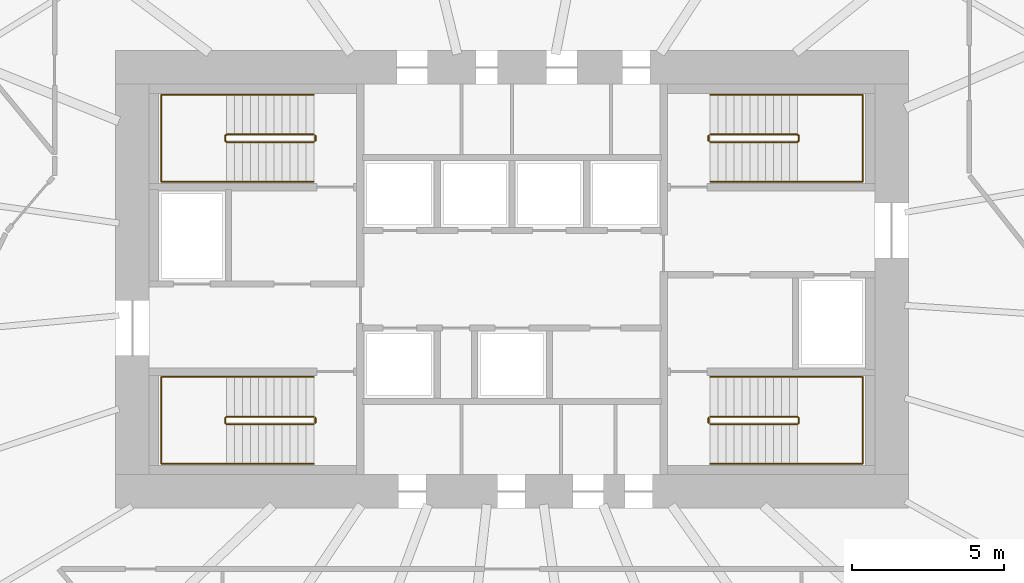
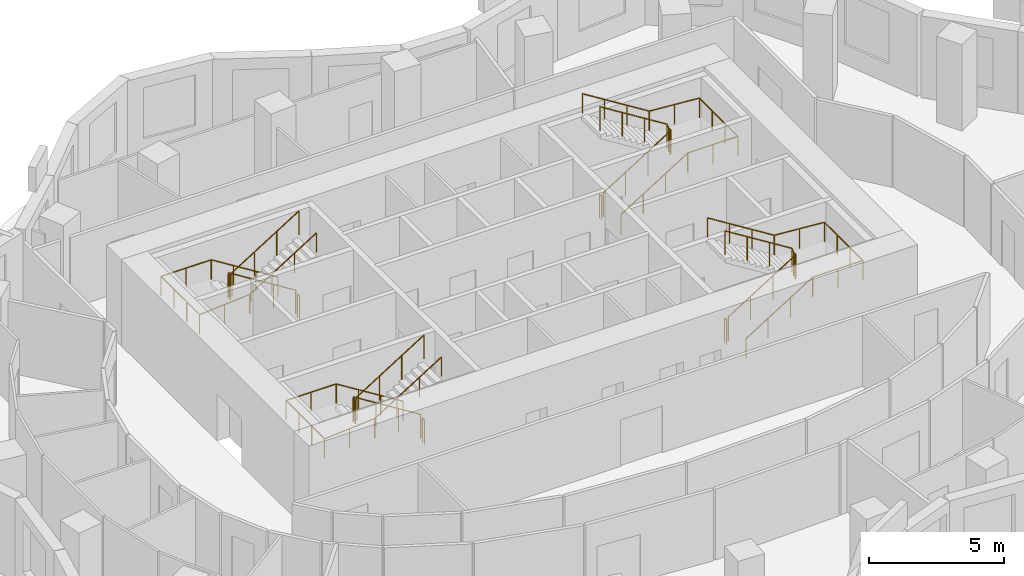
# One storey, part 10 of 10: 12 railings.
"""IFC4 building model written with IfcOpenShell, lengths in metres."""

from ifc_helpers import new_model, si_unit, direction, frame, origin, origin_2d, place, context, subcontext, project, spatial, circle, extrude, material, type_object, element, save


model = new_model("IFC4")

# Units and contexts
model_context = context("Model", 3, precision=1e-05, world=origin(), true_north=direction((0.0, 1.0)))
body_context = subcontext(model_context, "Body", "Model", "MODEL_VIEW")
ifc_project = project(units=[si_unit("LENGTHUNIT", "METRE"), si_unit("AREAUNIT", "SQUARE_METRE"), si_unit("VOLUMEUNIT", "CUBIC_METRE"), si_unit("PLANEANGLEUNIT", "RADIAN"), si_unit("MASSUNIT", "GRAM", prefix="KILO")], contexts=[model_context])

# Site, building, storey
site_placement = place(None, origin())
site = spatial("IfcSite", under=ifc_project, at=site_placement, CompositionType="ELEMENT")
building_placement = place(site_placement, origin())
building = spatial("IfcBuilding", under=site, at=building_placement, Name="Rubra Terraces Tower", CompositionType="ELEMENT")
storey_placement = place(building_placement, frame((0.0, 0.0, 161.699951171875)))
storey = spatial("IfcBuildingStorey", under=building, at=storey_placement, Name="L39", CompositionType="ELEMENT", Elevation=161.699951171875)

# Railings
ifc_material = material(Name="Stainless steel", Category="steel")
railing_type_1 = type_object("IfcRailingType", Name="Core stair guard 1100", PredefinedType="GUARDRAIL", material=ifc_material)
railing_1_placement = place(storey_placement, frame((-6.5, 0.0, 0.16259765625)))
element("IfcRailing", 1, at=railing_1_placement, inside=storey, type_object=railing_type_1, Name="L39 stair S1 guard 1", PredefinedType="GUARDRAIL", context=body_context, shape_type="SweptSolid", body=[
    extrude(circle(Radius=0.02392578125, at=origin_2d()), frame((0.0, 0.0, 1.076171875), z_axis=(-0.848026770018, 0.0, 0.529953391661), x_axis=(0.0, -1.0, 0.0)), (0.0, 0.0, 1.0), 3.37255859375),
    extrude(circle(Radius=0.02392578125, at=origin_2d()), frame((-2.860107421875, 0.0, 2.86328125), z_axis=(-0.705375805398, -0.708833529934, 0.0), x_axis=(0.708833529934, -0.705375805398, 0.0)), (0.0, 0.0, 1.0), 0.070556640625),
    extrude(circle(Radius=0.02392578125, at=origin_2d()), frame((-2.909912109375, -0.050048828125, 2.86328125), z_axis=(0.0, -1.0, 0.0), x_axis=(1.0, 0.0, 0.0)), (0.0, 0.0, 1.0), 0.14990234375),
    extrude(circle(Radius=0.02392578125, at=origin_2d()), frame((-2.909912109375, -0.199951171875, 2.86328125), z_axis=(0.280959487676, -0.282336740067, 0.917250092119), x_axis=(0.708833529934, 0.705375805398, 0.0)), (0.0, 0.0, 1.0), 0.17724609375),
    extrude(circle(Radius=0.02392578125, at=origin_2d()), frame((-2.860107421875, -0.25, 3.02587890625), z_axis=(0.847994237388, 0.0, 0.530005446535), x_axis=(0.0, 1.0, 0.0)), (0.0, 0.0, 1.0), 3.372802734375),
    extrude(circle(Radius=0.02099609375, at=origin_2d()), origin(), (0.0, 0.0, 1.0), 1.052001953125),
    extrude(circle(Radius=0.02099609375, at=origin_2d()), frame((-0.953369140625, 0.0, 0.595703125)), (0.0, 0.0, 1.0), 1.052001953125),
    extrude(circle(Radius=0.02099609375, at=origin_2d()), frame((-1.90673828125, 0.0, 1.191650390625)), (0.0, 0.0, 1.0), 1.052001953125),
    extrude(circle(Radius=0.02099609375, at=origin_2d()), frame((-2.860107421875, 0.0, 1.787353515625)), (0.0, 0.0, 1.0), 1.052001953125),
    extrude(circle(Radius=0.02099609375, at=origin_2d()), frame((-2.909912109375, -0.050048828125, 1.787353515625)), (0.0, 0.0, 1.0), 1.052001953125),
    extrude(circle(Radius=0.02099609375, at=origin_2d()), frame((-2.909912109375, -0.199951171875, 1.787353515625)), (0.0, 0.0, 1.0), 1.052001953125),
    extrude(circle(Radius=0.02099609375, at=origin_2d()), frame((-2.860107421875, -0.25, 1.949951171875)), (0.0, 0.0, 1.0), 1.052001953125),
    extrude(circle(Radius=0.02099609375, at=origin_2d()), frame((-1.90673828125, -0.25, 2.5458984375)), (0.0, 0.0, 1.0), 1.052001953125),
    extrude(circle(Radius=0.02099609375, at=origin_2d()), frame((-0.953369140625, -0.25, 3.1416015625)), (0.0, 0.0, 1.0), 1.052001953125),
    extrude(circle(Radius=0.02099609375, at=origin_2d()), frame((0.0, -0.25, 3.737548828125)), (0.0, 0.0, 1.0), 1.052001953125),
])
railing_2_placement = place(storey_placement, frame((-6.449951171875, -0.050048828125, 0.0)))
element("IfcRailing", 2, at=railing_2_placement, inside=storey, type_object=railing_type_1, Name="L39 stair S1 guard 2", PredefinedType="GUARDRAIL", context=body_context, shape_type="SweptSolid", body=[
    extrude(circle(Radius=0.02392578125, at=origin_2d()), frame((0.0, 0.0, 1.076171875), z_axis=(0.0, -1.0, 0.0), x_axis=(1.0, 0.0, 0.0)), (0.0, 0.0, 1.0), 0.14990234375),
    extrude(circle(Radius=0.02099609375, at=origin_2d()), origin(), (0.0, 0.0, 1.0), 1.052001953125),
    extrude(circle(Radius=0.02099609375, at=origin_2d()), frame((0.0, -0.14990234375, 0.0)), (0.0, 0.0, 1.0), 1.052001953125),
])
railing_3_placement = place(storey_placement, frame((-6.5, 9.25, 0.16259765625)))
element("IfcRailing", 3, at=railing_3_placement, inside=storey, type_object=railing_type_1, Name="L39 stair S2 guard 1", PredefinedType="GUARDRAIL", context=body_context, shape_type="SweptSolid", body=[
    extrude(circle(Radius=0.02392578125, at=origin_2d()), frame((0.0, 0.0, 1.076171875), z_axis=(-0.848026770018, 0.0, 0.529953391661), x_axis=(0.0, -1.0, 0.0)), (0.0, 0.0, 1.0), 3.37255859375),
    extrude(circle(Radius=0.02392578125, at=origin_2d()), frame((-2.860107421875, 0.0, 2.86328125), z_axis=(-0.705375805398, -0.708833529934, 0.0), x_axis=(0.708833529934, -0.705375805398, 0.0)), (0.0, 0.0, 1.0), 0.070556640625),
    extrude(circle(Radius=0.02392578125, at=origin_2d()), frame((-2.909912109375, -0.050048828125, 2.86328125), z_axis=(0.0, -1.0, 0.0), x_axis=(1.0, 0.0, 0.0)), (0.0, 0.0, 1.0), 0.14990234375),
    extrude(circle(Radius=0.02392578125, at=origin_2d()), frame((-2.909912109375, -0.199951171875, 2.86328125), z_axis=(0.280959487676, -0.282336740067, 0.917250092119), x_axis=(0.708833529934, 0.705375805398, 0.0)), (0.0, 0.0, 1.0), 0.17724609375),
    extrude(circle(Radius=0.02392578125, at=origin_2d()), frame((-2.860107421875, -0.25, 3.02587890625), z_axis=(0.847994237388, 0.0, 0.530005446535), x_axis=(0.0, 1.0, 0.0)), (0.0, 0.0, 1.0), 3.372802734375),
    extrude(circle(Radius=0.02099609375, at=origin_2d()), origin(), (0.0, 0.0, 1.0), 1.052001953125),
    extrude(circle(Radius=0.02099609375, at=origin_2d()), frame((-0.953369140625, 0.0, 0.595703125)), (0.0, 0.0, 1.0), 1.052001953125),
    extrude(circle(Radius=0.02099609375, at=origin_2d()), frame((-1.90673828125, 0.0, 1.191650390625)), (0.0, 0.0, 1.0), 1.052001953125),
    extrude(circle(Radius=0.02099609375, at=origin_2d()), frame((-2.860107421875, 0.0, 1.787353515625)), (0.0, 0.0, 1.0), 1.052001953125),
    extrude(circle(Radius=0.02099609375, at=origin_2d()), frame((-2.909912109375, -0.050048828125, 1.787353515625)), (0.0, 0.0, 1.0), 1.052001953125),
    extrude(circle(Radius=0.02099609375, at=origin_2d()), frame((-2.909912109375, -0.199951171875, 1.787353515625)), (0.0, 0.0, 1.0), 1.052001953125),
    extrude(circle(Radius=0.02099609375, at=origin_2d()), frame((-2.860107421875, -0.25, 1.949951171875)), (0.0, 0.0, 1.0), 1.052001953125),
    extrude(circle(Radius=0.02099609375, at=origin_2d()), frame((-1.90673828125, -0.25, 2.5458984375)), (0.0, 0.0, 1.0), 1.052001953125),
    extrude(circle(Radius=0.02099609375, at=origin_2d()), frame((-0.953369140625, -0.25, 3.1416015625)), (0.0, 0.0, 1.0), 1.052001953125),
    extrude(circle(Radius=0.02099609375, at=origin_2d()), frame((0.0, -0.25, 3.737548828125)), (0.0, 0.0, 1.0), 1.052001953125),
])
railing_4_placement = place(storey_placement, frame((-6.449951171875, 9.199951171875, 0.0)))
element("IfcRailing", 4, at=railing_4_placement, inside=storey, type_object=railing_type_1, Name="L39 stair S2 guard 2", PredefinedType="GUARDRAIL", context=body_context, shape_type="SweptSolid", body=[
    extrude(circle(Radius=0.02392578125, at=origin_2d()), frame((0.0, 0.0, 1.076171875), z_axis=(0.0, -1.0, 0.0), x_axis=(1.0, 0.0, 0.0)), (0.0, 0.0, 1.0), 0.14990234375),
    extrude(circle(Radius=0.02099609375, at=origin_2d()), origin(), (0.0, 0.0, 1.0), 1.052001953125),
    extrude(circle(Radius=0.02099609375, at=origin_2d()), frame((0.0, -0.14990234375, 0.0)), (0.0, 0.0, 1.0), 1.052001953125),
])
railing_5_placement = place(storey_placement, frame((6.5, 9.0, 0.16259765625)))
element("IfcRailing", 5, at=railing_5_placement, inside=storey, type_object=railing_type_1, Name="L39 stair S3 guard 1", PredefinedType="GUARDRAIL", context=body_context, shape_type="SweptSolid", body=[
    extrude(circle(Radius=0.02392578125, at=origin_2d()), frame((0.0, 0.0, 1.076171875), z_axis=(0.848026770018, 0.0, 0.529953391661), x_axis=(0.0, 1.0, 0.0)), (0.0, 0.0, 1.0), 3.37255859375),
    extrude(circle(Radius=0.02392578125, at=origin_2d()), frame((2.860107421875, 0.0, 2.86328125), z_axis=(0.705375805398, 0.708833529934, 0.0), x_axis=(-0.708833529934, 0.705375805398, 0.0)), (0.0, 0.0, 1.0), 0.070556640625),
    extrude(circle(Radius=0.02392578125, at=origin_2d()), frame((2.909912109375, 0.050048828125, 2.86328125), z_axis=(0.0, 1.0, 0.0), x_axis=(-1.0, 0.0, 0.0)), (0.0, 0.0, 1.0), 0.14990234375),
    extrude(circle(Radius=0.02392578125, at=origin_2d()), frame((2.909912109375, 0.199951171875, 2.86328125), z_axis=(-0.280959487676, 0.282336740067, 0.917250092119), x_axis=(-0.708833529934, -0.705375805398, 0.0)), (0.0, 0.0, 1.0), 0.17724609375),
    extrude(circle(Radius=0.02392578125, at=origin_2d()), frame((2.860107421875, 0.25, 3.02587890625), z_axis=(-0.847994237388, 0.0, 0.530005446535), x_axis=(0.0, -1.0, 0.0)), (0.0, 0.0, 1.0), 3.372802734375),
    extrude(circle(Radius=0.02099609375, at=origin_2d()), origin(), (0.0, 0.0, 1.0), 1.052001953125),
    extrude(circle(Radius=0.02099609375, at=origin_2d()), frame((0.953369140625, 0.0, 0.595703125)), (0.0, 0.0, 1.0), 1.052001953125),
    extrude(circle(Radius=0.02099609375, at=origin_2d()), frame((1.90673828125, 0.0, 1.191650390625)), (0.0, 0.0, 1.0), 1.052001953125),
    extrude(circle(Radius=0.02099609375, at=origin_2d()), frame((2.860107421875, 0.0, 1.787353515625)), (0.0, 0.0, 1.0), 1.052001953125),
    extrude(circle(Radius=0.02099609375, at=origin_2d()), frame((2.909912109375, 0.050048828125, 1.787353515625)), (0.0, 0.0, 1.0), 1.052001953125),
    extrude(circle(Radius=0.02099609375, at=origin_2d()), frame((2.909912109375, 0.199951171875, 1.787353515625)), (0.0, 0.0, 1.0), 1.052001953125),
    extrude(circle(Radius=0.02099609375, at=origin_2d()), frame((2.860107421875, 0.25, 1.949951171875)), (0.0, 0.0, 1.0), 1.052001953125),
    extrude(circle(Radius=0.02099609375, at=origin_2d()), frame((1.90673828125, 0.25, 2.5458984375)), (0.0, 0.0, 1.0), 1.052001953125),
    extrude(circle(Radius=0.02099609375, at=origin_2d()), frame((0.953369140625, 0.25, 3.1416015625)), (0.0, 0.0, 1.0), 1.052001953125),
    extrude(circle(Radius=0.02099609375, at=origin_2d()), frame((0.0, 0.25, 3.737548828125)), (0.0, 0.0, 1.0), 1.052001953125),
])
railing_6_placement = place(storey_placement, frame((6.449951171875, 9.050048828125, 0.0)))
element("IfcRailing", 6, at=railing_6_placement, inside=storey, type_object=railing_type_1, Name="L39 stair S3 guard 2", PredefinedType="GUARDRAIL", context=body_context, shape_type="SweptSolid", body=[
    extrude(circle(Radius=0.02392578125, at=origin_2d()), frame((0.0, 0.0, 1.076171875), z_axis=(0.0, 1.0, 0.0), x_axis=(-1.0, 0.0, 0.0)), (0.0, 0.0, 1.0), 0.14990234375),
    extrude(circle(Radius=0.02099609375, at=origin_2d()), origin(), (0.0, 0.0, 1.0), 1.052001953125),
    extrude(circle(Radius=0.02099609375, at=origin_2d()), frame((0.0, 0.14990234375, 0.0)), (0.0, 0.0, 1.0), 1.052001953125),
])
railing_7_placement = place(storey_placement, frame((6.5, -0.25, 0.16259765625)))
element("IfcRailing", 7, at=railing_7_placement, inside=storey, type_object=railing_type_1, Name="L39 stair S4 guard 1", PredefinedType="GUARDRAIL", context=body_context, shape_type="SweptSolid", body=[
    extrude(circle(Radius=0.02392578125, at=origin_2d()), frame((0.0, 0.0, 1.076171875), z_axis=(0.848026770018, 0.0, 0.529953391661), x_axis=(0.0, 1.0, 0.0)), (0.0, 0.0, 1.0), 3.37255859375),
    extrude(circle(Radius=0.02392578125, at=origin_2d()), frame((2.860107421875, 0.0, 2.86328125), z_axis=(0.705375805398, 0.708833529934, 0.0), x_axis=(-0.708833529934, 0.705375805398, 0.0)), (0.0, 0.0, 1.0), 0.070556640625),
    extrude(circle(Radius=0.02392578125, at=origin_2d()), frame((2.909912109375, 0.050048828125, 2.86328125), z_axis=(0.0, 1.0, 0.0), x_axis=(-1.0, 0.0, 0.0)), (0.0, 0.0, 1.0), 0.14990234375),
    extrude(circle(Radius=0.02392578125, at=origin_2d()), frame((2.909912109375, 0.199951171875, 2.86328125), z_axis=(-0.280959487676, 0.282336740067, 0.917250092119), x_axis=(-0.708833529934, -0.705375805398, 0.0)), (0.0, 0.0, 1.0), 0.17724609375),
    extrude(circle(Radius=0.02392578125, at=origin_2d()), frame((2.860107421875, 0.25, 3.02587890625), z_axis=(-0.847994237388, 0.0, 0.530005446535), x_axis=(0.0, -1.0, 0.0)), (0.0, 0.0, 1.0), 3.372802734375),
    extrude(circle(Radius=0.02099609375, at=origin_2d()), origin(), (0.0, 0.0, 1.0), 1.052001953125),
    extrude(circle(Radius=0.02099609375, at=origin_2d()), frame((0.953369140625, 0.0, 0.595703125)), (0.0, 0.0, 1.0), 1.052001953125),
    extrude(circle(Radius=0.02099609375, at=origin_2d()), frame((1.90673828125, 0.0, 1.191650390625)), (0.0, 0.0, 1.0), 1.052001953125),
    extrude(circle(Radius=0.02099609375, at=origin_2d()), frame((2.860107421875, 0.0, 1.787353515625)), (0.0, 0.0, 1.0), 1.052001953125),
    extrude(circle(Radius=0.02099609375, at=origin_2d()), frame((2.909912109375, 0.050048828125, 1.787353515625)), (0.0, 0.0, 1.0), 1.052001953125),
    extrude(circle(Radius=0.02099609375, at=origin_2d()), frame((2.909912109375, 0.199951171875, 1.787353515625)), (0.0, 0.0, 1.0), 1.052001953125),
    extrude(circle(Radius=0.02099609375, at=origin_2d()), frame((2.860107421875, 0.25, 1.949951171875)), (0.0, 0.0, 1.0), 1.052001953125),
    extrude(circle(Radius=0.02099609375, at=origin_2d()), frame((1.90673828125, 0.25, 2.5458984375)), (0.0, 0.0, 1.0), 1.052001953125),
    extrude(circle(Radius=0.02099609375, at=origin_2d()), frame((0.953369140625, 0.25, 3.1416015625)), (0.0, 0.0, 1.0), 1.052001953125),
    extrude(circle(Radius=0.02099609375, at=origin_2d()), frame((0.0, 0.25, 3.737548828125)), (0.0, 0.0, 1.0), 1.052001953125),
])
railing_8_placement = place(storey_placement, frame((6.449951171875, -0.199951171875, 0.0)))
element("IfcRailing", 8, at=railing_8_placement, inside=storey, type_object=railing_type_1, Name="L39 stair S4 guard 2", PredefinedType="GUARDRAIL", context=body_context, shape_type="SweptSolid", body=[
    extrude(circle(Radius=0.02392578125, at=origin_2d()), frame((0.0, 0.0, 1.076171875), z_axis=(0.0, 1.0, 0.0), x_axis=(-1.0, 0.0, 0.0)), (0.0, 0.0, 1.0), 0.14990234375),
    extrude(circle(Radius=0.02099609375, at=origin_2d()), origin(), (0.0, 0.0, 1.0), 1.052001953125),
    extrude(circle(Radius=0.02099609375, at=origin_2d()), frame((0.0, 0.14990234375, 0.0)), (0.0, 0.0, 1.0), 1.052001953125),
])
railing_type_2 = type_object("IfcRailingType", Name="Core stair handrail 900", PredefinedType="HANDRAIL", material=ifc_material)
railing_9_placement = place(storey_placement, frame((-6.5, 1.300048828125, 0.16259765625)))
element("IfcRailing", 9, at=railing_9_placement, inside=storey, type_object=railing_type_2, Name="L39 stair S1 handrail 1", PredefinedType="HANDRAIL", context=body_context, shape_type="SweptSolid", body=[
    extrude(circle(Radius=0.02392578125, at=origin_2d()), frame((0.0, 0.0, 0.8759765625), z_axis=(-0.848026770018, 0.0, 0.529953391661), x_axis=(0.0, -1.0, 0.0)), (0.0, 0.0, 1.0), 3.37255859375),
    extrude(circle(Radius=0.02392578125, at=origin_2d()), frame((-2.860107421875, 0.0, 2.6630859375), z_axis=(-1.0, 0.0, 0.0), x_axis=(0.0, -1.0, 0.0)), (0.0, 0.0, 1.0), 2.139892578125),
    extrude(circle(Radius=0.02392578125, at=origin_2d()), frame((-5.0, 0.0, 2.6630859375), z_axis=(0.0, -1.0, 0.0), x_axis=(1.0, 0.0, 0.0)), (0.0, 0.0, 1.0), 2.85009765625),
    extrude(circle(Radius=0.02392578125, at=origin_2d()), frame((-5.0, -2.85009765625, 2.6630859375), z_axis=(0.997125654253, 0.0, 0.075765623016), x_axis=(0.0, 1.0, 0.0)), (0.0, 0.0, 1.0), 2.14599609375),
    extrude(circle(Radius=0.02392578125, at=origin_2d()), frame((-2.860107421875, -2.85009765625, 2.82568359375), z_axis=(0.847994237388, 0.0, 0.530005446535), x_axis=(0.0, 1.0, 0.0)), (0.0, 0.0, 1.0), 3.372802734375),
    extrude(circle(Radius=0.02099609375, at=origin_2d()), origin(), (0.0, 0.0, 1.0), 0.851806640625),
    extrude(circle(Radius=0.02099609375, at=origin_2d()), frame((-0.953369140625, 0.0, 0.595703125)), (0.0, 0.0, 1.0), 0.851806640625),
    extrude(circle(Radius=0.02099609375, at=origin_2d()), frame((-1.90673828125, 0.0, 1.191650390625)), (0.0, 0.0, 1.0), 0.851806640625),
    extrude(circle(Radius=0.02099609375, at=origin_2d()), frame((-2.860107421875, 0.0, 1.787353515625)), (0.0, 0.0, 1.0), 0.851806640625),
    extrude(circle(Radius=0.02099609375, at=origin_2d()), frame((-3.93017578125, 0.0, 1.787353515625)), (0.0, 0.0, 1.0), 0.851806640625),
    extrude(circle(Radius=0.02099609375, at=origin_2d()), frame((-5.0, 0.0, 1.787353515625)), (0.0, 0.0, 1.0), 0.851806640625),
    extrude(circle(Radius=0.02099609375, at=origin_2d()), frame((-5.0, -0.949951171875, 1.787353515625)), (0.0, 0.0, 1.0), 0.851806640625),
    extrude(circle(Radius=0.02099609375, at=origin_2d()), frame((-5.0, -1.900146484375, 1.787353515625)), (0.0, 0.0, 1.0), 0.851806640625),
    extrude(circle(Radius=0.02099609375, at=origin_2d()), frame((-5.0, -2.85009765625, 1.787353515625)), (0.0, 0.0, 1.0), 0.851806640625),
    extrude(circle(Radius=0.02099609375, at=origin_2d()), frame((-3.93017578125, -2.85009765625, 1.86865234375)), (0.0, 0.0, 1.0), 0.851806640625),
    extrude(circle(Radius=0.02099609375, at=origin_2d()), frame((-2.860107421875, -2.85009765625, 1.949951171875)), (0.0, 0.0, 1.0), 0.851806640625),
    extrude(circle(Radius=0.02099609375, at=origin_2d()), frame((-1.90673828125, -2.85009765625, 2.5458984375)), (0.0, 0.0, 1.0), 0.851806640625),
    extrude(circle(Radius=0.02099609375, at=origin_2d()), frame((-0.953369140625, -2.85009765625, 3.1416015625)), (0.0, 0.0, 1.0), 0.851806640625),
    extrude(circle(Radius=0.02099609375, at=origin_2d()), frame((0.0, -2.85009765625, 3.737548828125)), (0.0, 0.0, 1.0), 0.851806640625),
])
railing_10_placement = place(storey_placement, frame((-6.5, 10.550048828125, 0.16259765625)))
element("IfcRailing", 10, at=railing_10_placement, inside=storey, type_object=railing_type_2, Name="L39 stair S2 handrail 1", PredefinedType="HANDRAIL", context=body_context, shape_type="SweptSolid", body=[
    extrude(circle(Radius=0.02392578125, at=origin_2d()), frame((0.0, 0.0, 0.8759765625), z_axis=(-0.848026770018, 0.0, 0.529953391661), x_axis=(0.0, -1.0, 0.0)), (0.0, 0.0, 1.0), 3.37255859375),
    extrude(circle(Radius=0.02392578125, at=origin_2d()), frame((-2.860107421875, 0.0, 2.6630859375), z_axis=(-1.0, 0.0, 0.0), x_axis=(0.0, -1.0, 0.0)), (0.0, 0.0, 1.0), 2.139892578125),
    extrude(circle(Radius=0.02392578125, at=origin_2d()), frame((-5.0, 0.0, 2.6630859375), z_axis=(0.0, -1.0, 0.0), x_axis=(1.0, 0.0, 0.0)), (0.0, 0.0, 1.0), 2.85009765625),
    extrude(circle(Radius=0.02392578125, at=origin_2d()), frame((-5.0, -2.85009765625, 2.6630859375), z_axis=(0.997125654253, 0.0, 0.075765623016), x_axis=(0.0, 1.0, 0.0)), (0.0, 0.0, 1.0), 2.14599609375),
    extrude(circle(Radius=0.02392578125, at=origin_2d()), frame((-2.860107421875, -2.85009765625, 2.82568359375), z_axis=(0.847994237388, 0.0, 0.530005446535), x_axis=(0.0, 1.0, 0.0)), (0.0, 0.0, 1.0), 3.372802734375),
    extrude(circle(Radius=0.02099609375, at=origin_2d()), origin(), (0.0, 0.0, 1.0), 0.851806640625),
    extrude(circle(Radius=0.02099609375, at=origin_2d()), frame((-0.953369140625, 0.0, 0.595703125)), (0.0, 0.0, 1.0), 0.851806640625),
    extrude(circle(Radius=0.02099609375, at=origin_2d()), frame((-1.90673828125, 0.0, 1.191650390625)), (0.0, 0.0, 1.0), 0.851806640625),
    extrude(circle(Radius=0.02099609375, at=origin_2d()), frame((-2.860107421875, 0.0, 1.787353515625)), (0.0, 0.0, 1.0), 0.851806640625),
    extrude(circle(Radius=0.02099609375, at=origin_2d()), frame((-3.93017578125, 0.0, 1.787353515625)), (0.0, 0.0, 1.0), 0.851806640625),
    extrude(circle(Radius=0.02099609375, at=origin_2d()), frame((-5.0, 0.0, 1.787353515625)), (0.0, 0.0, 1.0), 0.851806640625),
    extrude(circle(Radius=0.02099609375, at=origin_2d()), frame((-5.0, -0.949951171875, 1.787353515625)), (0.0, 0.0, 1.0), 0.851806640625),
    extrude(circle(Radius=0.02099609375, at=origin_2d()), frame((-5.0, -1.900146484375, 1.787353515625)), (0.0, 0.0, 1.0), 0.851806640625),
    extrude(circle(Radius=0.02099609375, at=origin_2d()), frame((-5.0, -2.85009765625, 1.787353515625)), (0.0, 0.0, 1.0), 0.851806640625),
    extrude(circle(Radius=0.02099609375, at=origin_2d()), frame((-3.93017578125, -2.85009765625, 1.86865234375)), (0.0, 0.0, 1.0), 0.851806640625),
    extrude(circle(Radius=0.02099609375, at=origin_2d()), frame((-2.860107421875, -2.85009765625, 1.949951171875)), (0.0, 0.0, 1.0), 0.851806640625),
    extrude(circle(Radius=0.02099609375, at=origin_2d()), frame((-1.90673828125, -2.85009765625, 2.5458984375)), (0.0, 0.0, 1.0), 0.851806640625),
    extrude(circle(Radius=0.02099609375, at=origin_2d()), frame((-0.953369140625, -2.85009765625, 3.1416015625)), (0.0, 0.0, 1.0), 0.851806640625),
    extrude(circle(Radius=0.02099609375, at=origin_2d()), frame((0.0, -2.85009765625, 3.737548828125)), (0.0, 0.0, 1.0), 0.851806640625),
])
railing_11_placement = place(storey_placement, frame((6.5, 7.699951171875, 0.16259765625)))
element("IfcRailing", 11, at=railing_11_placement, inside=storey, type_object=railing_type_2, Name="L39 stair S3 handrail 1", PredefinedType="HANDRAIL", context=body_context, shape_type="SweptSolid", body=[
    extrude(circle(Radius=0.02392578125, at=origin_2d()), frame((0.0, 0.0, 0.8759765625), z_axis=(0.848026770018, 0.0, 0.529953391661), x_axis=(0.0, 1.0, 0.0)), (0.0, 0.0, 1.0), 3.37255859375),
    extrude(circle(Radius=0.02392578125, at=origin_2d()), frame((2.860107421875, 0.0, 2.6630859375), z_axis=(1.0, 0.0, 0.0), x_axis=(0.0, 1.0, 0.0)), (0.0, 0.0, 1.0), 2.139892578125),
    extrude(circle(Radius=0.02392578125, at=origin_2d()), frame((5.0, 0.0, 2.6630859375), z_axis=(0.0, 1.0, 0.0), x_axis=(-1.0, 0.0, 0.0)), (0.0, 0.0, 1.0), 2.85009765625),
    extrude(circle(Radius=0.02392578125, at=origin_2d()), frame((5.0, 2.85009765625, 2.6630859375), z_axis=(-0.997125654253, 0.0, 0.075765623016), x_axis=(0.0, -1.0, 0.0)), (0.0, 0.0, 1.0), 2.14599609375),
    extrude(circle(Radius=0.02392578125, at=origin_2d()), frame((2.860107421875, 2.85009765625, 2.82568359375), z_axis=(-0.847994237388, 0.0, 0.530005446535), x_axis=(0.0, -1.0, 0.0)), (0.0, 0.0, 1.0), 3.372802734375),
    extrude(circle(Radius=0.02099609375, at=origin_2d()), origin(), (0.0, 0.0, 1.0), 0.851806640625),
    extrude(circle(Radius=0.02099609375, at=origin_2d()), frame((0.953369140625, 0.0, 0.595703125)), (0.0, 0.0, 1.0), 0.851806640625),
    extrude(circle(Radius=0.02099609375, at=origin_2d()), frame((1.90673828125, 0.0, 1.191650390625)), (0.0, 0.0, 1.0), 0.851806640625),
    extrude(circle(Radius=0.02099609375, at=origin_2d()), frame((2.860107421875, 0.0, 1.787353515625)), (0.0, 0.0, 1.0), 0.851806640625),
    extrude(circle(Radius=0.02099609375, at=origin_2d()), frame((3.93017578125, 0.0, 1.787353515625)), (0.0, 0.0, 1.0), 0.851806640625),
    extrude(circle(Radius=0.02099609375, at=origin_2d()), frame((5.0, 0.0, 1.787353515625)), (0.0, 0.0, 1.0), 0.851806640625),
    extrude(circle(Radius=0.02099609375, at=origin_2d()), frame((5.0, 0.949951171875, 1.787353515625)), (0.0, 0.0, 1.0), 0.851806640625),
    extrude(circle(Radius=0.02099609375, at=origin_2d()), frame((5.0, 1.900146484375, 1.787353515625)), (0.0, 0.0, 1.0), 0.851806640625),
    extrude(circle(Radius=0.02099609375, at=origin_2d()), frame((5.0, 2.85009765625, 1.787353515625)), (0.0, 0.0, 1.0), 0.851806640625),
    extrude(circle(Radius=0.02099609375, at=origin_2d()), frame((3.93017578125, 2.85009765625, 1.86865234375)), (0.0, 0.0, 1.0), 0.851806640625),
    extrude(circle(Radius=0.02099609375, at=origin_2d()), frame((2.860107421875, 2.85009765625, 1.949951171875)), (0.0, 0.0, 1.0), 0.851806640625),
    extrude(circle(Radius=0.02099609375, at=origin_2d()), frame((1.90673828125, 2.85009765625, 2.5458984375)), (0.0, 0.0, 1.0), 0.851806640625),
    extrude(circle(Radius=0.02099609375, at=origin_2d()), frame((0.953369140625, 2.85009765625, 3.1416015625)), (0.0, 0.0, 1.0), 0.851806640625),
    extrude(circle(Radius=0.02099609375, at=origin_2d()), frame((0.0, 2.85009765625, 3.737548828125)), (0.0, 0.0, 1.0), 0.851806640625),
])
railing_12_placement = place(storey_placement, frame((6.5, -1.550048828125, 0.16259765625)))
element("IfcRailing", 12, at=railing_12_placement, inside=storey, type_object=railing_type_2, Name="L39 stair S4 handrail 1", PredefinedType="HANDRAIL", context=body_context, shape_type="SweptSolid", body=[
    extrude(circle(Radius=0.02392578125, at=origin_2d()), frame((0.0, 0.0, 0.8759765625), z_axis=(0.848026770018, 0.0, 0.529953391661), x_axis=(0.0, 1.0, 0.0)), (0.0, 0.0, 1.0), 3.37255859375),
    extrude(circle(Radius=0.02392578125, at=origin_2d()), frame((2.860107421875, 0.0, 2.6630859375), z_axis=(1.0, 0.0, 0.0), x_axis=(0.0, 1.0, 0.0)), (0.0, 0.0, 1.0), 2.139892578125),
    extrude(circle(Radius=0.02392578125, at=origin_2d()), frame((5.0, 0.0, 2.6630859375), z_axis=(0.0, 1.0, 0.0), x_axis=(-1.0, 0.0, 0.0)), (0.0, 0.0, 1.0), 2.85009765625),
    extrude(circle(Radius=0.02392578125, at=origin_2d()), frame((5.0, 2.85009765625, 2.6630859375), z_axis=(-0.997125654253, 0.0, 0.075765623016), x_axis=(0.0, -1.0, 0.0)), (0.0, 0.0, 1.0), 2.14599609375),
    extrude(circle(Radius=0.02392578125, at=origin_2d()), frame((2.860107421875, 2.85009765625, 2.82568359375), z_axis=(-0.847994237388, 0.0, 0.530005446535), x_axis=(0.0, -1.0, 0.0)), (0.0, 0.0, 1.0), 3.372802734375),
    extrude(circle(Radius=0.02099609375, at=origin_2d()), origin(), (0.0, 0.0, 1.0), 0.851806640625),
    extrude(circle(Radius=0.02099609375, at=origin_2d()), frame((0.953369140625, 0.0, 0.595703125)), (0.0, 0.0, 1.0), 0.851806640625),
    extrude(circle(Radius=0.02099609375, at=origin_2d()), frame((1.90673828125, 0.0, 1.191650390625)), (0.0, 0.0, 1.0), 0.851806640625),
    extrude(circle(Radius=0.02099609375, at=origin_2d()), frame((2.860107421875, 0.0, 1.787353515625)), (0.0, 0.0, 1.0), 0.851806640625),
    extrude(circle(Radius=0.02099609375, at=origin_2d()), frame((3.93017578125, 0.0, 1.787353515625)), (0.0, 0.0, 1.0), 0.851806640625),
    extrude(circle(Radius=0.02099609375, at=origin_2d()), frame((5.0, 0.0, 1.787353515625)), (0.0, 0.0, 1.0), 0.851806640625),
    extrude(circle(Radius=0.02099609375, at=origin_2d()), frame((5.0, 0.949951171875, 1.787353515625)), (0.0, 0.0, 1.0), 0.851806640625),
    extrude(circle(Radius=0.02099609375, at=origin_2d()), frame((5.0, 1.900146484375, 1.787353515625)), (0.0, 0.0, 1.0), 0.851806640625),
    extrude(circle(Radius=0.02099609375, at=origin_2d()), frame((5.0, 2.85009765625, 1.787353515625)), (0.0, 0.0, 1.0), 0.851806640625),
    extrude(circle(Radius=0.02099609375, at=origin_2d()), frame((3.93017578125, 2.85009765625, 1.86865234375)), (0.0, 0.0, 1.0), 0.851806640625),
    extrude(circle(Radius=0.02099609375, at=origin_2d()), frame((2.860107421875, 2.85009765625, 1.949951171875)), (0.0, 0.0, 1.0), 0.851806640625),
    extrude(circle(Radius=0.02099609375, at=origin_2d()), frame((1.90673828125, 2.85009765625, 2.5458984375)), (0.0, 0.0, 1.0), 0.851806640625),
    extrude(circle(Radius=0.02099609375, at=origin_2d()), frame((0.953369140625, 2.85009765625, 3.1416015625)), (0.0, 0.0, 1.0), 0.851806640625),
    extrude(circle(Radius=0.02099609375, at=origin_2d()), frame((0.0, 2.85009765625, 3.737548828125)), (0.0, 0.0, 1.0), 0.851806640625),
])

save(model, "model.ifc")
